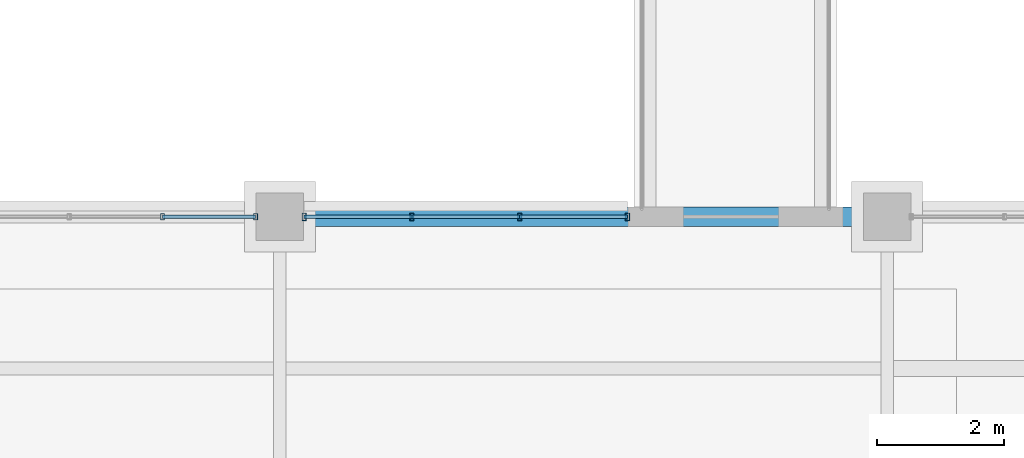
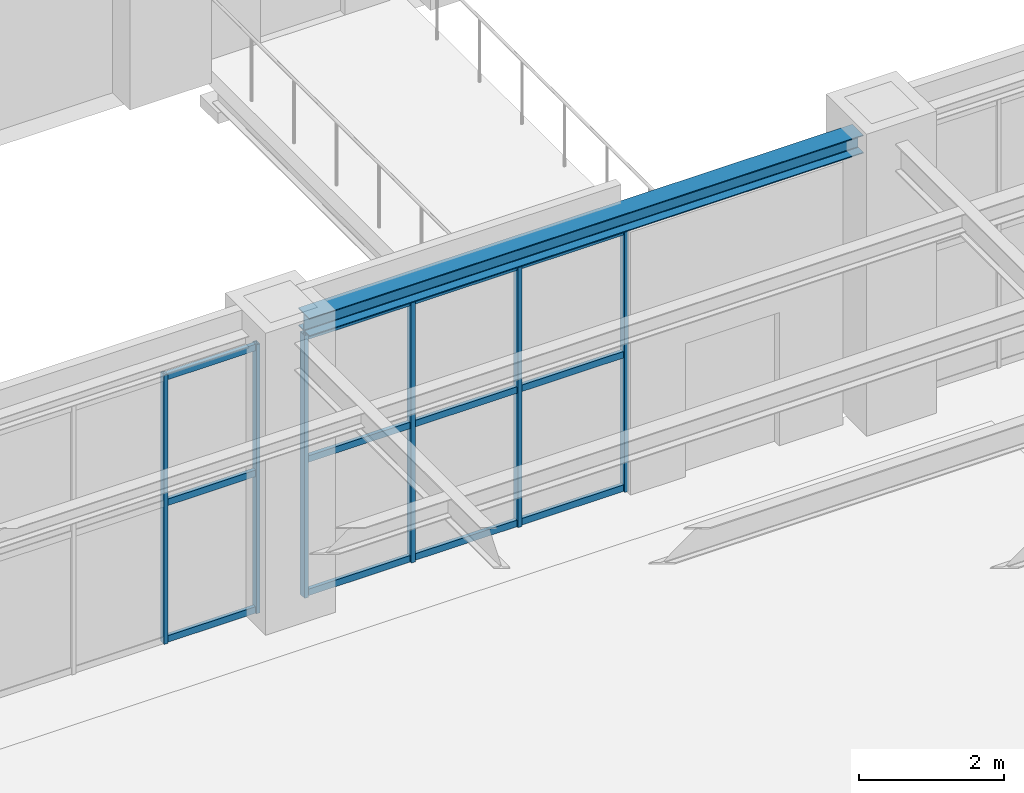
# One storey, part 18 of 174: 18 members, 1 beam, 2 elements without a shape of their own.
"""IFC4 building model written with IfcOpenShell, lengths in metres."""

import ifcopenshell
import ifcopenshell.guid

model = None  # the IFC model being written
_history = None  # IfcOwnerHistory: only IFC2X3 demands one
_inside = {}  # id of a spatial element -> (the spatial element, [elements in it])
_under = {}  # id of a project, library or spatial element -> (it, [spatial elements below it])
_declared = {}  # id of a project -> (the project, [libraries it declares])
_typed = {}  # id of a type object -> (the type object, [elements of that type])
_made_of = {}  # id of a material, layer set ... -> (it, [elements and type objects made of it])


def new_model(schema):
    """Start an empty IFC model of exactly this schema.

    Asked for "IFC4X3", IfcOpenShell would pick the latest addendum, in which some entities
    have other attributes; the version numbers below select the first issue.
    IFC2X3 requires an IfcOwnerHistory on every rooted entity: one is made here for all.
    """
    global model, _history
    if schema == "IFC4X3":
        model = ifcopenshell.file(schema_version=(4, 3, 0, 0))
    else:
        model = ifcopenshell.file(schema=schema)
    _inside.clear()
    _under.clear()
    _declared.clear()
    _typed.clear()
    _made_of.clear()
    _history = None
    if model.schema == "IFC2X3":
        org = make("IfcOrganization", Name="unknown")
        user = make(
            "IfcPersonAndOrganization",
            ThePerson=make("IfcPerson", FamilyName="unknown"),
            TheOrganization=org,
        )
        app = make(
            "IfcApplication",
            ApplicationDeveloper=org,
            Version="unknown",
            ApplicationFullName="unknown",
            ApplicationIdentifier="unknown",
        )
        _history = make(
            "IfcOwnerHistory",
            OwningUser=user,
            OwningApplication=app,
            ChangeAction="ADDED",
            CreationDate=0,
        )
    return model


def make(cls, **values):
    """One entity of the class cls with the attributes given. An attribute that is None is left unset."""
    return model.create_entity(
        cls, **{name: value for name, value in values.items() if value is not None}
    )


def rooted(cls, **values):
    """An entity with a GlobalId (a new one), such as an element, a storey or a relation."""
    return make(cls, GlobalId=ifcopenshell.guid.new(), OwnerHistory=_history, **values)


def si_unit(unit_type, name, prefix=None):
    """IfcSIUnit, for example si_unit("LENGTHUNIT", "METRE", prefix="MILLI")."""
    return make("IfcSIUnit", UnitType=unit_type, Prefix=prefix, Name=name)


def assignment(units):
    """IfcUnitAssignment: the units of a project."""
    return None if units is None else make("IfcUnitAssignment", Units=units)


def point(xyz):
    """IfcCartesianPoint."""
    return None if xyz is None else make("IfcCartesianPoint", Coordinates=xyz)


def direction(xyz):
    """IfcDirection."""
    return None if xyz is None else make("IfcDirection", DirectionRatios=xyz)


def frame(location, z_axis=None, x_axis=None):
    """IfcAxis2Placement3D, a coordinate frame: its origin and axes. An axis left out is left unset."""
    return make(
        "IfcAxis2Placement3D",
        Location=point(location),
        Axis=direction(z_axis),
        RefDirection=direction(x_axis),
    )


def frame_2d(location, x_axis=None):
    """IfcAxis2Placement2D, a coordinate frame in the plane: its origin and x axis."""
    return make(
        "IfcAxis2Placement2D", Location=point(location), RefDirection=direction(x_axis)
    )


def origin():
    """The frame at (0, 0, 0) with its axes left unset."""
    return frame((0.0, 0.0, 0.0))


def origin_2d():
    """The frame at (0, 0) in the plane with its x axis left unset."""
    return frame_2d((0.0, 0.0))


def place(relative_to, where):
    """IfcLocalPlacement: puts the frame where relative to a parent placement (None: the world)."""
    return make(
        "IfcLocalPlacement", PlacementRelTo=relative_to, RelativePlacement=where
    )


def context(
    kind, dimensions, precision=None, world=None, true_north=None, identifier=None
):
    """IfcGeometricRepresentationContext, for example the 3D "Model" context."""
    return make(
        "IfcGeometricRepresentationContext",
        ContextIdentifier=identifier,
        ContextType=kind,
        CoordinateSpaceDimension=dimensions,
        Precision=precision,
        WorldCoordinateSystem=world,
        TrueNorth=true_north,
    )


def subcontext(parent, identifier, kind, view, scale=None):
    """IfcGeometricRepresentationSubContext, for example "Body" below "Model"."""
    return make(
        "IfcGeometricRepresentationSubContext",
        ContextIdentifier=identifier,
        ContextType=kind,
        ParentContext=parent,
        TargetScale=scale,
        TargetView=view,
    )


def project(units=None, contexts=None):
    """IfcProject with its units and contexts."""
    return rooted(
        "IfcProject",
        Name="project",
        RepresentationContexts=contexts,
        UnitsInContext=assignment(units),
    )


def spatial(cls, under=None, at=None, **own):
    """A site, building, storey or space (cls), placed at a placement, below another one or the project."""
    s = rooted(cls, ObjectPlacement=at, **own)
    if under is not None:
        _under.setdefault(under.id(), (under, []))[1].append(s)
    return s


def profile(cls, at=None, kind="AREA", **sizes):
    """A parametric profile (cls). Its sizes go by their IFC names, for example OverallWidth=200.0."""
    return make(cls, ProfileType=kind, Position=at, **sizes)


def hollow_rectangle(**sizes):
    """IfcRectangleHollowProfileDef."""
    return profile("IfcRectangleHollowProfileDef", **sizes)


def i_section(**sizes):
    """IfcIShapeProfileDef."""
    return profile("IfcIShapeProfileDef", **sizes)


def extrude(swept, where, along, depth):
    """IfcExtrudedAreaSolid: the profile swept, set in the frame where, extruded along a direction by depth."""
    return make(
        "IfcExtrudedAreaSolid",
        SweptArea=swept,
        Position=where,
        ExtrudedDirection=direction(along),
        Depth=depth,
    )


def shape(context_of_items, identifier, shape_type, items):
    """IfcShapeRepresentation: the items that make up one representation, for example the "Body"."""
    return make(
        "IfcShapeRepresentation",
        ContextOfItems=context_of_items,
        RepresentationIdentifier=identifier,
        RepresentationType=shape_type,
        Items=items,
    )


def material(Name=None, Category=None):
    """IfcMaterial."""
    return make("IfcMaterial", Name=Name, Category=Category)


def material_profile(
    of_material, cross_section, Name=None, Category=None, Priority=None
):
    """IfcMaterialProfile: a cross section and its material."""
    return make(
        "IfcMaterialProfile",
        Name=Name,
        Material=of_material,
        Profile=cross_section,
        Priority=Priority,
        Category=Category,
    )


def profile_set(profiles, Name=None, composite=None):
    """IfcMaterialProfileSet."""
    return make(
        "IfcMaterialProfileSet",
        Name=Name,
        MaterialProfiles=profiles,
        CompositeProfile=composite,
    )


def made_of(thing, what):
    """Note that an element or type object is made of a material, layer set ...; save() writes the relation."""
    if what is not None:
        _made_of.setdefault(what.id(), (what, []))[1].append(thing)
    return thing


def type_object(cls, material=None, **own):
    """A type object (cls), such as IfcWallType, which elements share."""
    return made_of(rooted(cls, **own), material)


def element(
    cls,
    number,
    at=None,
    inside=None,
    cuts=None,
    type_object=None,
    material=None,
    context=None,
    identifier="Body",
    shape_type=None,
    held_by="IfcProductDefinitionShape",
    body=None,
    shapes=None,
    **own,
):
    """One element of the class cls, such as IfcWall. Its Tag is "e" and its number.

    at: its placement. inside: the storey or other place that contains it. cuts: it is an
    opening in that element (IfcRelVoidsElement). A single representation is given by context,
    identifier, shape_type and body (its items); several are given by shapes. held_by: the class
    of the entity that holds the representations. save() writes the other relations.
    """
    e = rooted(cls, Tag="e%d" % number, ObjectPlacement=at, **own)
    if body is not None:
        shapes = [shape(context, identifier, shape_type, body)]
    if shapes is not None:
        e.Representation = make(held_by, Representations=shapes)
    if inside is not None:
        _inside.setdefault(inside.id(), (inside, []))[1].append(e)
    if cuts is not None:
        rooted(
            "IfcRelVoidsElement", RelatingBuildingElement=cuts, RelatedOpeningElement=e
        )
    if type_object is not None:
        _typed.setdefault(type_object.id(), (type_object, []))[1].append(e)
    return made_of(e, material)


def aggregate(whole, parts):
    """IfcRelAggregates: a whole, such as a stair, and the parts it consists of."""
    return rooted("IfcRelAggregates", RelatingObject=whole, RelatedObjects=parts)


def save(model, path):
    """Write the relations noted so far, then the file.

    IfcRelAggregates (storeys below a building ...), IfcRelContainedInSpatialStructure (elements
    in a storey), IfcRelDefinesByType, IfcRelAssociatesMaterial and IfcRelDeclares: one each for
    every whole, place, type object, material and project.
    """
    for whole, parts in _under.values():
        aggregate(whole, parts)
    for where, things in _inside.values():
        rooted(
            "IfcRelContainedInSpatialStructure",
            RelatedElements=things,
            RelatingStructure=where,
        )
    for kind, things in _typed.values():
        rooted("IfcRelDefinesByType", RelatedObjects=things, RelatingType=kind)
    for what, things in _made_of.values():
        rooted("IfcRelAssociatesMaterial", RelatedObjects=things, RelatingMaterial=what)
    for by, libraries in _declared.values():
        rooted("IfcRelDeclares", RelatingContext=by, RelatedDefinitions=libraries)
    model.write(path)


model = new_model("IFC4")

# Units and contexts
model_context = context("Model", 3, precision=1e-05, world=origin(), true_north=direction((0.0, 1.0)))
body_context = subcontext(model_context, "Body", "Model", "MODEL_VIEW")
ifc_project = project(units=[si_unit("LENGTHUNIT", "METRE"), si_unit("AREAUNIT", "SQUARE_METRE"), si_unit("VOLUMEUNIT", "CUBIC_METRE"), si_unit("PLANEANGLEUNIT", "RADIAN"), si_unit("MASSUNIT", "GRAM", prefix="KILO")], contexts=[model_context])

# Site, building, storey
site_placement = place(None, origin())
site = spatial("IfcSite", under=ifc_project, at=site_placement, CompositionType="ELEMENT")
building_placement = place(site_placement, origin())
building = spatial("IfcBuilding", under=site, at=building_placement, Name="Mavantir Sound Aquarium", CompositionType="ELEMENT")
storey_placement = place(building_placement, frame((0.0, 0.0, 5.39990234375)))
storey = spatial("IfcBuildingStorey", under=building, at=storey_placement, Name="L01", CompositionType="ELEMENT", Elevation=5.39990234375)

# Beam
ifc_material_1 = material(Name="Structural Steel ASTM A992 Gr50", Category="steel")
ifc_material_profile_1 = material_profile(ifc_material_1, i_section(OverallWidth=0.304931640625, OverallDepth=0.30810546875, WebThickness=0.010009765625, FlangeThickness=0.015380859375, FilletRadius=0.014892578125, at=origin_2d()), Name="W310X97")
ifc_profile_set_1 = profile_set([ifc_material_profile_1], Name="Structural Steel ASTM A992 Gr50")
beam_type = type_object("IfcBeamType", Name="BM-W310X97-E", PredefinedType="SPANDREL", material=ifc_profile_set_1)
beam_placement = place(storey_placement, frame((9.97509765625, 28.800048828125, 4.6220703125), z_axis=(1.0, 0.0, 0.0), x_axis=(0.0, 1.0, 0.0)))
element("IfcBeam", 1, at=beam_placement, inside=storey, type_object=beam_type, Name="L01 primary beam SS-31A 1219", PredefinedType="SPANDREL", context=body_context, shape_type="SweptSolid", body=[
    extrude(i_section(OverallWidth=0.304931640625, OverallDepth=0.30810546875, WebThickness=0.010009765625, FlangeThickness=0.015380859375, FilletRadius=0.014892578125, at=origin_2d()), origin(), (0.0, 0.0, 1.0), 8.849853515625),
])

# Curtain wall, members
ifc_material_2 = material(Name="Anodised Marine Aluminium and Low-E Glass", Category="aluminium")
curtain_wall_type_1 = type_object("IfcCurtainWallType", Name="CW-T01", PredefinedType="USERDEFINED", material=ifc_material_2)
curtain_wall_1_placement = place(storey_placement, origin())
curtain_wall_1 = element("IfcCurtainWall", 2, at=curtain_wall_1_placement, inside=storey, type_object=curtain_wall_type_1, Name="L01 unitised curtain wall CW-01 73", ObjectType="UNITISED GLAZING", PredefinedType="USERDEFINED")
ifc_material_3 = material(Name="Anodised Marine Aluminium 6063-T6", Category="aluminium")
ifc_material_profile_2 = material_profile(ifc_material_3, hollow_rectangle(XDim=0.06005859375, YDim=0.10009765625, WallThickness=0.00390625, at=origin_2d()), Name="ALU-MULLION-100X60")
ifc_profile_set_2 = profile_set([ifc_material_profile_2], Name="Anodised Marine Aluminium 6063-T6")
member_type_1 = type_object("IfcMemberType", Name="CW-MUL-100", PredefinedType="MULLION", material=ifc_profile_set_2)
member_1_placement = place(storey_placement, frame((9.217041015625, 28.800048828125, 0.0), z_axis=(0.0, 0.0, 1.0), x_axis=(1.0, 0.0, 0.0)))
member_1 = element("IfcMember", 3, at=member_1_placement, type_object=member_type_1, Name="CW-L01-073 vertical mullion 1", PredefinedType="MULLION", context=body_context, shape_type="SweptSolid", body=[
    extrude(hollow_rectangle(XDim=0.06005859375, YDim=0.10009765625, WallThickness=0.00390625, at=origin_2d()), origin(), (0.0, 0.0, 1.0), 4.543212890625),
])
member_2_placement = place(storey_placement, frame((7.74462890625, 28.800048828125, 0.0), z_axis=(0.0, 0.0, 1.0), x_axis=(1.0, 0.0, 0.0)))
member_2 = element("IfcMember", 4, at=member_2_placement, type_object=member_type_1, Name="CW-L01-073 vertical mullion 2", PredefinedType="MULLION", context=body_context, shape_type="SweptSolid", body=[
    extrude(hollow_rectangle(XDim=0.06005859375, YDim=0.10009765625, WallThickness=0.00390625, at=origin_2d()), origin(), (0.0, 0.0, 1.0), 4.543212890625),
])

curtain_wall_type_2 = type_object("IfcCurtainWallType", Name="CW-T24", PredefinedType="USERDEFINED", material=ifc_material_2)
curtain_wall_2_placement = place(storey_placement, origin())
curtain_wall_2 = element("IfcCurtainWall", 5, at=curtain_wall_2_placement, inside=storey, type_object=curtain_wall_type_2, Name="L01 unitised curtain wall CW-24 72", ObjectType="UNITISED GLAZING", PredefinedType="USERDEFINED")
ifc_material_profile_3 = material_profile(ifc_material_3, hollow_rectangle(XDim=0.06494140625, YDim=0.1201171875, WallThickness=0.00390625, at=origin_2d()), Name="ALU-MULLION-120X65")
ifc_profile_set_3 = profile_set([ifc_material_profile_3], Name="Anodised Marine Aluminium 6063-T6")
member_type_2 = type_object("IfcMemberType", Name="CW-MUL-120", PredefinedType="MULLION", material=ifc_profile_set_3)
member_3_placement = place(storey_placement, frame((15.094970703125, 28.800048828125, 0.0), z_axis=(0.0, 0.0, 1.0), x_axis=(1.0, 0.0, 0.0)))
member_3 = element("IfcMember", 6, at=member_3_placement, type_object=member_type_2, Name="CW-L01-072 vertical mullion 1", PredefinedType="MULLION", context=body_context, shape_type="SweptSolid", body=[
    extrude(hollow_rectangle(XDim=0.06494140625, YDim=0.1201171875, WallThickness=0.00390625, at=origin_2d()), origin(), (0.0, 0.0, 1.0), 4.43798828125),
])
member_4_placement = place(storey_placement, frame((13.39111328125, 28.800048828125, 0.0), z_axis=(0.0, 0.0, 1.0), x_axis=(1.0, 0.0, 0.0)))
member_4 = element("IfcMember", 7, at=member_4_placement, type_object=member_type_2, Name="CW-L01-072 vertical mullion 2", PredefinedType="MULLION", context=body_context, shape_type="SweptSolid", body=[
    extrude(hollow_rectangle(XDim=0.06494140625, YDim=0.1201171875, WallThickness=0.00390625, at=origin_2d()), origin(), (0.0, 0.0, 1.0), 4.43798828125),
])
member_5_placement = place(storey_placement, frame((11.68701171875, 28.800048828125, 0.0), z_axis=(0.0, 0.0, 1.0), x_axis=(1.0, 0.0, 0.0)))
member_5 = element("IfcMember", 8, at=member_5_placement, type_object=member_type_2, Name="CW-L01-072 vertical mullion 3", PredefinedType="MULLION", context=body_context, shape_type="SweptSolid", body=[
    extrude(hollow_rectangle(XDim=0.06494140625, YDim=0.1201171875, WallThickness=0.00390625, at=origin_2d()), origin(), (0.0, 0.0, 1.0), 4.43798828125),
])
member_6_placement = place(storey_placement, frame((9.98291015625, 28.800048828125, 0.0), z_axis=(0.0, 0.0, 1.0), x_axis=(1.0, 0.0, 0.0)))
member_6 = element("IfcMember", 9, at=member_6_placement, type_object=member_type_2, Name="CW-L01-072 vertical mullion 4", PredefinedType="MULLION", context=body_context, shape_type="SweptSolid", body=[
    extrude(hollow_rectangle(XDim=0.06494140625, YDim=0.1201171875, WallThickness=0.00390625, at=origin_2d()), origin(), (0.0, 0.0, 1.0), 4.43798828125),
])
ifc_material_profile_4 = material_profile(ifc_material_3, hollow_rectangle(XDim=0.06005859375, YDim=0.110107421875, WallThickness=0.00390625, at=origin_2d()), Name="ALU-TRANSOM-110X60")
ifc_profile_set_4 = profile_set([ifc_material_profile_4], Name="Anodised Marine Aluminium 6063-T6")
member_type_3 = type_object("IfcMemberType", Name="CW-TRN-110", PredefinedType="USERDEFINED", material=ifc_profile_set_4)
member_7_placement = place(storey_placement, frame((15.094970703125, 28.800048828125, 0.05517578125), z_axis=(-1.0, 0.0, 0.0), x_axis=(0.0, -1.0, 0.0)))
member_7 = element("IfcMember", 10, at=member_7_placement, type_object=member_type_3, Name="CW-L01-072 transom 1.1", ObjectType="TRANSOM", PredefinedType="USERDEFINED", context=body_context, shape_type="SweptSolid", body=[
    extrude(hollow_rectangle(XDim=0.06005859375, YDim=0.110107421875, WallThickness=0.00390625, at=origin_2d()), origin(), (0.0, 0.0, 1.0), 1.703857421875),
])
member_8_placement = place(storey_placement, frame((15.094970703125, 28.800048828125, 2.307861328125), z_axis=(-1.0, 0.0, 0.0), x_axis=(0.0, -1.0, 0.0)))
member_8 = element("IfcMember", 11, at=member_8_placement, type_object=member_type_3, Name="CW-L01-072 transom 1.2", ObjectType="TRANSOM", PredefinedType="USERDEFINED", context=body_context, shape_type="SweptSolid", body=[
    extrude(hollow_rectangle(XDim=0.06005859375, YDim=0.110107421875, WallThickness=0.00390625, at=origin_2d()), origin(), (0.0, 0.0, 1.0), 1.703857421875),
])
member_9_placement = place(storey_placement, frame((15.094970703125, 28.800048828125, 4.383056640625), z_axis=(-1.0, 0.0, 0.0), x_axis=(0.0, -1.0, 0.0)))
member_9 = element("IfcMember", 12, at=member_9_placement, type_object=member_type_3, Name="CW-L01-072 transom 1.3", ObjectType="TRANSOM", PredefinedType="USERDEFINED", context=body_context, shape_type="SweptSolid", body=[
    extrude(hollow_rectangle(XDim=0.06005859375, YDim=0.110107421875, WallThickness=0.00390625, at=origin_2d()), origin(), (0.0, 0.0, 1.0), 1.703857421875),
])
member_10_placement = place(storey_placement, frame((13.39111328125, 28.800048828125, 0.05517578125), z_axis=(-1.0, 0.0, 0.0), x_axis=(0.0, -1.0, 0.0)))
member_10 = element("IfcMember", 13, at=member_10_placement, type_object=member_type_3, Name="CW-L01-072 transom 2.1", ObjectType="TRANSOM", PredefinedType="USERDEFINED", context=body_context, shape_type="SweptSolid", body=[
    extrude(hollow_rectangle(XDim=0.06005859375, YDim=0.110107421875, WallThickness=0.00390625, at=origin_2d()), origin(), (0.0, 0.0, 1.0), 1.7041015625),
])
member_11_placement = place(storey_placement, frame((13.39111328125, 28.800048828125, 2.307861328125), z_axis=(-1.0, 0.0, 0.0), x_axis=(0.0, -1.0, 0.0)))
member_11 = element("IfcMember", 14, at=member_11_placement, type_object=member_type_3, Name="CW-L01-072 transom 2.2", ObjectType="TRANSOM", PredefinedType="USERDEFINED", context=body_context, shape_type="SweptSolid", body=[
    extrude(hollow_rectangle(XDim=0.06005859375, YDim=0.110107421875, WallThickness=0.00390625, at=origin_2d()), origin(), (0.0, 0.0, 1.0), 1.7041015625),
])
member_12_placement = place(storey_placement, frame((13.39111328125, 28.800048828125, 4.383056640625), z_axis=(-1.0, 0.0, 0.0), x_axis=(0.0, -1.0, 0.0)))
member_12 = element("IfcMember", 15, at=member_12_placement, type_object=member_type_3, Name="CW-L01-072 transom 2.3", ObjectType="TRANSOM", PredefinedType="USERDEFINED", context=body_context, shape_type="SweptSolid", body=[
    extrude(hollow_rectangle(XDim=0.06005859375, YDim=0.110107421875, WallThickness=0.00390625, at=origin_2d()), origin(), (0.0, 0.0, 1.0), 1.7041015625),
])
member_13_placement = place(storey_placement, frame((11.68701171875, 28.800048828125, 0.05517578125), z_axis=(-1.0, 0.0, 0.0), x_axis=(0.0, -1.0, 0.0)))
member_13 = element("IfcMember", 16, at=member_13_placement, type_object=member_type_3, Name="CW-L01-072 transom 3.1", ObjectType="TRANSOM", PredefinedType="USERDEFINED", context=body_context, shape_type="SweptSolid", body=[
    extrude(hollow_rectangle(XDim=0.06005859375, YDim=0.110107421875, WallThickness=0.00390625, at=origin_2d()), origin(), (0.0, 0.0, 1.0), 1.7041015625),
])
member_14_placement = place(storey_placement, frame((11.68701171875, 28.800048828125, 2.307861328125), z_axis=(-1.0, 0.0, 0.0), x_axis=(0.0, -1.0, 0.0)))
member_14 = element("IfcMember", 17, at=member_14_placement, type_object=member_type_3, Name="CW-L01-072 transom 3.2", ObjectType="TRANSOM", PredefinedType="USERDEFINED", context=body_context, shape_type="SweptSolid", body=[
    extrude(hollow_rectangle(XDim=0.06005859375, YDim=0.110107421875, WallThickness=0.00390625, at=origin_2d()), origin(), (0.0, 0.0, 1.0), 1.7041015625),
])
member_15_placement = place(storey_placement, frame((11.68701171875, 28.800048828125, 4.383056640625), z_axis=(-1.0, 0.0, 0.0), x_axis=(0.0, -1.0, 0.0)))
member_15 = element("IfcMember", 18, at=member_15_placement, type_object=member_type_3, Name="CW-L01-072 transom 3.3", ObjectType="TRANSOM", PredefinedType="USERDEFINED", context=body_context, shape_type="SweptSolid", body=[
    extrude(hollow_rectangle(XDim=0.06005859375, YDim=0.110107421875, WallThickness=0.00390625, at=origin_2d()), origin(), (0.0, 0.0, 1.0), 1.7041015625),
])
aggregate(curtain_wall_2, [member_3, member_4, member_5, member_6, member_7, member_8, member_9, member_10, member_11, member_12, member_13, member_14, member_15])

# Member
member_16_placement = place(storey_placement, frame((9.217041015625, 28.800048828125, 0.05517578125), z_axis=(-1.0, 0.0, 0.0), x_axis=(0.0, -1.0, 0.0)))
member_16 = element("IfcMember", 19, at=member_16_placement, type_object=member_type_3, Name="CW-L01-073 transom 1.1", ObjectType="TRANSOM", PredefinedType="USERDEFINED", context=body_context, shape_type="SweptSolid", body=[
    extrude(hollow_rectangle(XDim=0.06005859375, YDim=0.110107421875, WallThickness=0.00390625, at=origin_2d()), origin(), (0.0, 0.0, 1.0), 1.472412109375),
])

member_17_placement = place(storey_placement, frame((9.217041015625, 28.800048828125, 2.362548828125), z_axis=(-1.0, 0.0, 0.0), x_axis=(0.0, -1.0, 0.0)))
member_17 = element("IfcMember", 20, at=member_17_placement, type_object=member_type_3, Name="CW-L01-073 transom 1.2", ObjectType="TRANSOM", PredefinedType="USERDEFINED", context=body_context, shape_type="SweptSolid", body=[
    extrude(hollow_rectangle(XDim=0.06005859375, YDim=0.110107421875, WallThickness=0.00390625, at=origin_2d()), origin(), (0.0, 0.0, 1.0), 1.472412109375),
])

member_18_placement = place(storey_placement, frame((9.217041015625, 28.800048828125, 4.488037109375), z_axis=(-1.0, 0.0, 0.0), x_axis=(0.0, -1.0, 0.0)))
member_18 = element("IfcMember", 21, at=member_18_placement, type_object=member_type_3, Name="CW-L01-073 transom 1.3", ObjectType="TRANSOM", PredefinedType="USERDEFINED", context=body_context, shape_type="SweptSolid", body=[
    extrude(hollow_rectangle(XDim=0.06005859375, YDim=0.110107421875, WallThickness=0.00390625, at=origin_2d()), origin(), (0.0, 0.0, 1.0), 1.472412109375),
])

aggregate(curtain_wall_1, [member_1, member_2, member_16, member_17, member_18])

save(model, "model.ifc")
